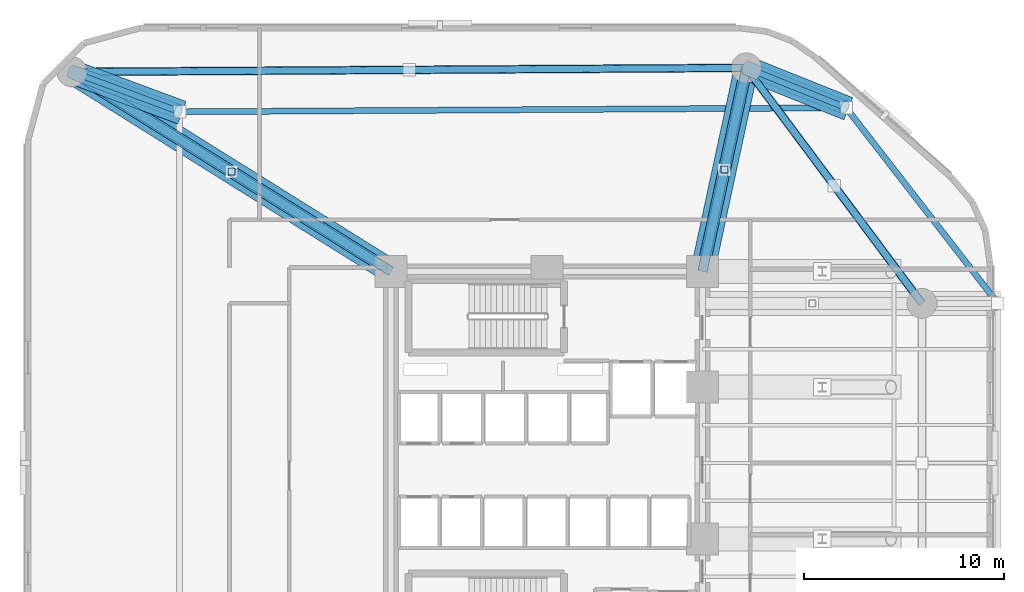
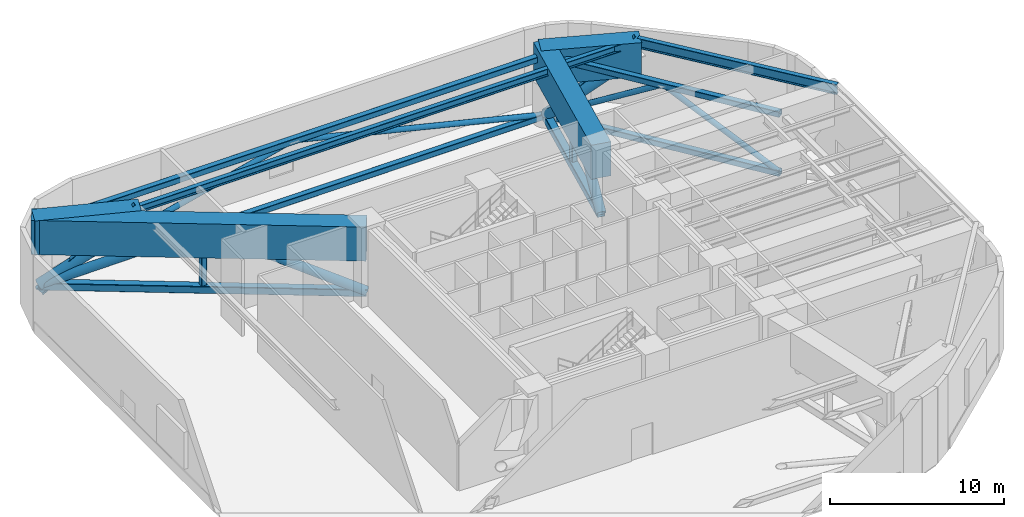
# One storey, part 5 of 11: 18 members, 8 beams.
"""IFC4 building model written with IfcOpenShell, lengths in metres."""

from ifc_helpers import new_model, si_unit, direction, frame, origin, origin_2d, place, context, subcontext, project, spatial, rectangle, hollow_rectangle, hollow_circle, i_section, extrude, material, material_profile, profile_set, type_object, element, save


model = new_model("IFC4")

# Units and contexts
model_context = context("Model", 3, precision=1e-05, world=origin(), true_north=direction((0.0, 1.0)))
body_context = subcontext(model_context, "Body", "Model", "MODEL_VIEW")
ifc_project = project(units=[si_unit("LENGTHUNIT", "METRE"), si_unit("AREAUNIT", "SQUARE_METRE"), si_unit("VOLUMEUNIT", "CUBIC_METRE"), si_unit("PLANEANGLEUNIT", "RADIAN"), si_unit("MASSUNIT", "GRAM", prefix="KILO")], contexts=[model_context])

# Site, building, storey
site_placement = place(None, origin())
site = spatial("IfcSite", under=ifc_project, at=site_placement, CompositionType="ELEMENT")
building_placement = place(site_placement, origin())
building = spatial("IfcBuilding", under=site, at=building_placement, Name="An Khanh Terracotta Commons", CompositionType="ELEMENT")
storey_placement = place(building_placement, frame((0.0, 0.0, 75.60009765625)))
storey = spatial("IfcBuildingStorey", under=building, at=storey_placement, Name="L20", CompositionType="ELEMENT", Elevation=75.60009765625)

# Members
ifc_material_1 = material(Name="Steel S460ML", Category="steel")
ifc_material_profile_1 = material_profile(ifc_material_1, hollow_rectangle(XDim=0.39990234375, YDim=0.39990234375, WallThickness=0.02001953125, InnerFilletRadius=0.02001953125, OuterFilletRadius=0.0400390625, at=origin_2d()), Name="SHS400x400x20")
ifc_profile_set_1 = profile_set([ifc_material_profile_1], Name="Steel S460ML")
member_type_1 = type_object("IfcMemberType", Name="BELT-CHORD-SHS400", PredefinedType="CHORD", material=ifc_profile_set_1)
for number, where, z_axis, x_axis, name in (
    (1, (48.199951171875, 32.0, 0.449951171875), (-0.59782442166, 0.801627070942, 0.0), (-0.801627070942, -0.59782442166, 0.0), "L20 Belt-Truss Bottom Chord 4"),
    (2, (48.199951171875, 32.0, 4.60986328125), (-0.59782442166, 0.801627070942, 0.0), (-0.801627070942, -0.59782442166, 0.0), "L20 Belt-Truss Top Chord 4"),
):
    element("IfcMember", number, at=place(storey_placement, frame(where, z_axis=z_axis, x_axis=x_axis)), inside=storey, type_object=member_type_1, Name=name, PredefinedType="CHORD", context=body_context, shape_type="SweptSolid", body=[
        extrude(hollow_rectangle(XDim=0.39990234375, YDim=0.39990234375, WallThickness=0.02001953125, InnerFilletRadius=0.02001953125, OuterFilletRadius=0.0400390625, at=origin_2d()), origin(), (0.0, 0.0, 1.0), 14.72021484375),
    ])
for number, where, z_axis, x_axis, name in (
    (3, (39.39990234375, 43.800048828125, 0.449951171875), (-0.999982502414, -0.005915645817, 0.0), (0.005915645817, -0.999982502414, 0.0), "L20 Belt-Truss Bottom Chord 5"),
    (4, (39.39990234375, 43.800048828125, 4.60986328125), (-0.999982502414, -0.005915645817, 0.0), (0.005915645817, -0.999982502414, 0.0), "L20 Belt-Truss Top Chord 5"),
):
    element("IfcMember", number, at=place(storey_placement, frame(where, z_axis=z_axis, x_axis=x_axis)), inside=storey, type_object=member_type_1, Name=name, PredefinedType="CHORD", context=body_context, shape_type="SweptSolid", body=[
        extrude(hollow_rectangle(XDim=0.39990234375, YDim=0.39990234375, WallThickness=0.02001953125, InnerFilletRadius=0.02001953125, OuterFilletRadius=0.0400390625, at=origin_2d()), origin(), (0.0, 0.0, 1.0), 33.80029296875),
    ])
ifc_material_profile_2 = material_profile(ifc_material_1, hollow_rectangle(XDim=0.5, YDim=0.5, WallThickness=0.02490234375, InnerFilletRadius=0.02490234375, OuterFilletRadius=0.050048828125, at=origin_2d()), Name="SHS500x500x25")
ifc_profile_set_2 = profile_set([ifc_material_profile_2], Name="Steel S460ML")
member_type_2 = type_object("IfcMemberType", Name="BELT-CHORD-SHS500", PredefinedType="CHORD", material=ifc_profile_set_2)
member_1_placement = place(storey_placement, frame((37.199951171875, 33.60009765625, 0.449951171875), z_axis=(0.210834365214, 0.977521800496, 0.0), x_axis=(-0.977521800496, 0.210834365214, 0.0)))
element("IfcMember", 5, at=member_1_placement, inside=storey, type_object=member_type_2, Name="L20 Outrigger Bottom Chord 5", PredefinedType="CHORD", context=body_context, shape_type="SweptSolid", body=[
    extrude(hollow_rectangle(XDim=0.5, YDim=0.5, WallThickness=0.02490234375, InnerFilletRadius=0.02490234375, OuterFilletRadius=0.050048828125, at=origin_2d()), origin(), (0.0, 0.0, 1.0), 10.4345703125),
])
member_2_placement = place(storey_placement, frame((21.60009765625, 33.60009765625, 0.449951171875), z_axis=(-0.847998304005, 0.529998940003, 0.0), x_axis=(-0.529998940003, -0.847998304005, 0.0)))
element("IfcMember", 6, at=member_2_placement, inside=storey, type_object=member_type_2, Name="L20 Outrigger Bottom Chord 6", PredefinedType="CHORD", context=body_context, shape_type="SweptSolid", body=[
    extrude(hollow_rectangle(XDim=0.5, YDim=0.5, WallThickness=0.02490234375, InnerFilletRadius=0.02490234375, OuterFilletRadius=0.050048828125, at=origin_2d()), origin(), (0.0, 0.0, 1.0), 18.867919921875),
])
ifc_material_profile_3 = material_profile(ifc_material_1, hollow_circle(Radius=0.177734375, WallThickness=0.01611328125, at=origin_2d()), Name="CHS355.6x16")
ifc_profile_set_3 = profile_set([ifc_material_profile_3], Name="Steel S460ML")
member_type_3 = type_object("IfcMemberType", Name="BELT-DIAG-CHS355", PredefinedType="BRACE", material=ifc_profile_set_3)
member_3_placement = place(storey_placement, frame((48.199951171875, 32.0, 0.449951171875), z_axis=(-0.52044215431, 0.697869553937, 0.492054925496), x_axis=(-0.801629091732, -0.597821711959, 0.0)))
element("IfcMember", 7, at=member_3_placement, inside=storey, type_object=member_type_3, Name="L20 Belt-Truss Web Diagonal 4A", PredefinedType="BRACE", context=body_context, shape_type="SweptSolid", body=[
    extrude(hollow_circle(Radius=0.177734375, WallThickness=0.01611328125, at=origin_2d()), origin(), (0.0, 0.0, 1.0), 8.4541015625),
])
member_4_placement = place(storey_placement, frame((39.39990234375, 43.800048828125, 0.449951171875), z_axis=(0.520452721477, -0.697873878929, 0.492037614229), x_axis=(0.801625050236, 0.597827131229, 0.0)))
element("IfcMember", 8, at=member_4_placement, inside=storey, type_object=member_type_3, Name="L20 Belt-Truss Web Diagonal 4B", PredefinedType="BRACE", context=body_context, shape_type="SweptSolid", body=[
    extrude(hollow_circle(Radius=0.177734375, WallThickness=0.01611328125, at=origin_2d()), origin(), (0.0, 0.0, 1.0), 8.454345703125),
])
for number, where, z_axis, x_axis, name in (
    (9, (39.39990234375, 43.800048828125, 0.449951171875), (-0.97099967145, -0.005751204318, 0.239011635056), (0.005922868574, -0.99998245966, 0.0), "L20 Belt-Truss Web Diagonal 5A"),
    (10, (5.60009765625, 43.60009765625, 0.449951171875), (0.970999749689, 0.005737177453, 0.239011654314), (-0.005908423058, 0.999982545116, 0.0), "L20 Belt-Truss Web Diagonal 5B"),
):
    element("IfcMember", number, at=place(storey_placement, frame(where, z_axis=z_axis, x_axis=x_axis)), inside=storey, type_object=member_type_3, Name=name, PredefinedType="BRACE", context=body_context, shape_type="SweptSolid", body=[
        extrude(hollow_circle(Radius=0.177734375, WallThickness=0.01611328125, at=origin_2d()), origin(), (0.0, 0.0, 1.0), 17.404541015625),
    ])
ifc_material_profile_4 = material_profile(ifc_material_1, hollow_rectangle(XDim=0.35009765625, YDim=0.35009765625, WallThickness=0.01611328125, InnerFilletRadius=0.01611328125, OuterFilletRadius=0.031982421875, at=origin_2d()), Name="SHS350x350x16")
ifc_profile_set_4 = profile_set([ifc_material_profile_4], Name="Steel S460ML")
member_type_4 = type_object("IfcMemberType", Name="BELT-STRUT-SHS350", PredefinedType="STRUT", material=ifc_profile_set_4)
for number, where, z_axis, x_axis, name in (
    (11, (38.300048828125, 38.699951171875, 0.449951171875), (0.0, 0.0, 1.0), (1.0, 0.0, 0.0), "L20 Outrigger Vertical Post 5"),
    (12, (13.60009765625, 38.60009765625, 0.449951171875), (0.0, 0.0, 1.0), (1.0, 0.0, 0.0), "L20 Outrigger Vertical Post 6"),
):
    element("IfcMember", number, at=place(storey_placement, frame(where, z_axis=z_axis, x_axis=x_axis)), inside=storey, type_object=member_type_4, Name=name, PredefinedType="STRUT", context=body_context, shape_type="SweptSolid", body=[
        extrude(hollow_rectangle(XDim=0.35009765625, YDim=0.35009765625, WallThickness=0.01611328125, InnerFilletRadius=0.01611328125, OuterFilletRadius=0.031982421875, at=origin_2d()), origin(), (0.0, 0.0, 1.0), 4.159912109375),
    ])

# Beams
ifc_material_2 = material(Name="Steel S355J2", Category="steel")
ifc_material_profile_5 = material_profile(ifc_material_2, i_section(OverallWidth=0.300048828125, OverallDepth=0.5, WebThickness=0.014404296875, FlangeThickness=0.028076171875, FilletRadius=0.027099609375, at=origin_2d()), Name="HEB500")
ifc_profile_set_5 = profile_set([ifc_material_profile_5], Name="Steel S355J2")
beam_type_1 = type_object("IfcBeamType", Name="BM-HEB500", PredefinedType="BEAM", material=ifc_profile_set_5)
beam_1_placement = place(storey_placement, frame((44.39990234375, 41.800048828125, 5.10986328125), z_axis=(-0.999982080914, -0.005986472262, 0.0), x_axis=(0.005986472262, -0.999982080914, 0.0)))
element("IfcBeam", 13, at=beam_1_placement, inside=storey, type_object=beam_type_1, Name="L20 Perimeter Ring Spandrel 5", PredefinedType="BEAM", context=body_context, shape_type="SweptSolid", body=[
    extrude(i_section(OverallWidth=0.300048828125, OverallDepth=0.5, WebThickness=0.014404296875, FlangeThickness=0.028076171875, FilletRadius=0.027099609375, at=origin_2d()), origin(), (0.0, 0.0, 1.0), 33.400390625),
])
ifc_material_profile_6 = material_profile(ifc_material_2, i_section(OverallWidth=0.300048828125, OverallDepth=0.60009765625, WebThickness=0.015380859375, FlangeThickness=0.030029296875, FilletRadius=0.027099609375, at=origin_2d()), Name="HEB600")
ifc_profile_set_6 = profile_set([ifc_material_profile_6], Name="Steel S355J2")
beam_type_2 = type_object("IfcBeamType", Name="BM-HEB600", PredefinedType="BEAM", material=ifc_profile_set_6)
beam_2_placement = place(storey_placement, frame((39.39990234375, 43.800048828125, 0.0), z_axis=(0.664822495315, -0.265928998126, 0.69806362008), x_axis=(0.371390676354, 0.928476690885, 0.0)))
element("IfcBeam", 14, at=beam_2_placement, inside=storey, type_object=beam_type_2, Name="L20 Outrigger Lower Column Tie Beam 5", PredefinedType="BEAM", context=body_context, shape_type="SweptSolid", body=[
    extrude(i_section(OverallWidth=0.300048828125, OverallDepth=0.60009765625, WebThickness=0.015380859375, FlangeThickness=0.030029296875, FilletRadius=0.027099609375, at=origin_2d()), origin(), (0.0, 0.0, 1.0), 7.520751953125),
])
beam_3_placement = place(storey_placement, frame((5.60009765625, 43.60009765625, 0.0), z_axis=(0.692970673397, -0.256660446535, 0.673733672155), x_axis=(0.347319879248, 0.937746714992, 0.0)))
element("IfcBeam", 15, at=beam_3_placement, inside=storey, type_object=beam_type_2, Name="L20 Outrigger Lower Column Tie Beam 6", PredefinedType="BEAM", context=body_context, shape_type="SweptSolid", body=[
    extrude(i_section(OverallWidth=0.300048828125, OverallDepth=0.60009765625, WebThickness=0.015380859375, FlangeThickness=0.030029296875, FilletRadius=0.027099609375, at=origin_2d()), origin(), (0.0, 0.0, 1.0), 7.79248046875),
])
ifc_material_profile_7 = material_profile(ifc_material_2, i_section(OverallWidth=0.300048828125, OverallDepth=0.699951171875, WebThickness=0.01708984375, FlangeThickness=0.031982421875, FilletRadius=0.027099609375, at=origin_2d()), Name="HEB700")
ifc_profile_set_7 = profile_set([ifc_material_profile_7], Name="Steel S355J2")
beam_type_3 = type_object("IfcBeamType", Name="BM-HEB700", PredefinedType="BEAM", material=ifc_profile_set_7)
beam_4_placement = place(storey_placement, frame((52.0, 32.0, 5.010009765625), z_axis=(-0.612826529795, 0.790217466511, 0.0), x_axis=(-0.790217466511, -0.612826529795, 0.0)))
element("IfcBeam", 16, at=beam_4_placement, inside=storey, type_object=beam_type_3, Name="L20 Perimeter Ring Spandrel 4", PredefinedType="BEAM", context=body_context, shape_type="SweptSolid", body=[
    extrude(i_section(OverallWidth=0.300048828125, OverallDepth=0.699951171875, WebThickness=0.01708984375, FlangeThickness=0.031982421875, FilletRadius=0.027099609375, at=origin_2d()), origin(), (0.0, 0.0, 1.0), 12.401611328125),
])
ifc_material_3 = material(Name="Concrete C60/75", Category="concrete")
ifc_material_profile_8 = material_profile(ifc_material_3, rectangle(XDim=1.199951171875, YDim=2.39990234375, at=origin_2d()), Name="RCB1200x2400")
ifc_profile_set_8 = profile_set([ifc_material_profile_8], Name="Concrete C60/75")
beam_type_4 = type_object("IfcBeamType", Name="BM-RCB1200x2400", PredefinedType="BEAM", material=ifc_profile_set_8)
beam_5_placement = place(storey_placement, frame((37.199951171875, 33.60009765625, 4.159912109375), z_axis=(0.210863087232, 0.977515605217, 0.0), x_axis=(-0.977515605217, 0.210863087232, 0.0)))
element("IfcBeam", 17, at=beam_5_placement, inside=storey, type_object=beam_type_4, Name="L20 Outrigger Core-to-Mega Transfer Girder 5", PredefinedType="BEAM", context=body_context, shape_type="SweptSolid", body=[
    extrude(rectangle(XDim=1.199951171875, YDim=2.39990234375, at=origin_2d()), origin(), (0.0, 0.0, 1.0), 10.884521484375),
])
beam_6_placement = place(storey_placement, frame((39.074951171875, 43.929931640625, 4.159912109375), z_axis=(0.928439302104, -0.371484134665, 0.0), x_axis=(0.371484134665, 0.928439302104, 0.0)))
element("IfcBeam", 18, at=beam_6_placement, inside=storey, type_object=beam_type_4, Name="L20 Mega-Column Step-Out Transfer Girder 5", PredefinedType="BEAM", context=body_context, shape_type="SweptSolid", body=[
    extrude(rectangle(XDim=1.199951171875, YDim=2.39990234375, at=origin_2d()), origin(), (0.0, 0.0, 1.0), 5.85498046875),
])
beam_7_placement = place(storey_placement, frame((21.60009765625, 33.60009765625, 4.159912109375), z_axis=(-0.848021733157, 0.529961451516, 0.0), x_axis=(-0.529961451516, -0.848021733157, 0.0)))
element("IfcBeam", 19, at=beam_7_placement, inside=storey, type_object=beam_type_4, Name="L20 Outrigger Core-to-Mega Transfer Girder 6", PredefinedType="BEAM", context=body_context, shape_type="SweptSolid", body=[
    extrude(rectangle(XDim=1.199951171875, YDim=2.39990234375, at=origin_2d()), origin(), (0.0, 0.0, 1.0), 19.318115234375),
])
beam_8_placement = place(storey_placement, frame((5.27197265625, 43.721923828125, 4.159912109375), z_axis=(0.937724646142, -0.347379458255, 0.0), x_axis=(0.347379458255, 0.937724646142, 0.0)))
element("IfcBeam", 20, at=beam_8_placement, inside=storey, type_object=beam_type_4, Name="L20 Mega-Column Step-Out Transfer Girder 6", PredefinedType="BEAM", context=body_context, shape_type="SweptSolid", body=[
    extrude(rectangle(XDim=1.199951171875, YDim=2.39990234375, at=origin_2d()), origin(), (0.0, 0.0, 1.0), 6.22900390625),
])

# Members
ifc_material_profile_9 = material_profile(ifc_material_1, hollow_circle(Radius=0.304931640625, WallThickness=0.030029296875, at=origin_2d()), Name="CHS610x30")
ifc_profile_set_9 = profile_set([ifc_material_profile_9], Name="Steel S460ML")
member_type_5 = type_object("IfcMemberType", Name="OUTRIGGER-DIAG-CHS610", PredefinedType="BRACE", material=ifc_profile_set_9)
member_5_placement = place(storey_placement, frame((37.199951171875, 33.60009765625, 0.449951171875), z_axis=(0.16486791834, 0.764297813184, 0.623431970839), x_axis=(-0.97751593787, 0.210861545121, 0.0)))
element("IfcMember", 21, at=member_5_placement, inside=storey, type_object=member_type_5, Name="L20 Outrigger Tie Diagonal 5A", PredefinedType="BRACE", context=body_context, shape_type="SweptSolid", body=[
    extrude(hollow_circle(Radius=0.304931640625, WallThickness=0.030029296875, at=origin_2d()), origin(), (0.0, 0.0, 1.0), 6.672607421875),
])
member_6_placement = place(storey_placement, frame((38.300048828125, 38.699951171875, 4.60986328125), z_axis=(0.164827714585, 0.764317637663, -0.623418297182), x_axis=(-0.977527662156, 0.210807186118, 0.0)))
element("IfcMember", 22, at=member_6_placement, inside=storey, type_object=member_type_5, Name="L20 Outrigger Tie Diagonal 5B", PredefinedType="BRACE", context=body_context, shape_type="SweptSolid", body=[
    extrude(hollow_circle(Radius=0.304931640625, WallThickness=0.030029296875, at=origin_2d()), origin(), (0.0, 0.0, 1.0), 6.6728515625),
])
for number, where, z_axis, x_axis, name in (
    (23, (21.60009765625, 33.60009765625, 0.449951171875), (-0.77591368047, 0.484946050294, 0.403466589402), (-0.529998940003, -0.847998304005, 0.0), "L20 Outrigger Tie Diagonal 6A"),
    (24, (13.60009765625, 38.60009765625, 4.60986328125), (-0.77591368047, 0.484946050294, -0.403466589402), (-0.529998940003, -0.847998304005, 0.0), "L20 Outrigger Tie Diagonal 6B"),
):
    element("IfcMember", number, at=place(storey_placement, frame(where, z_axis=z_axis, x_axis=x_axis)), inside=storey, type_object=member_type_5, Name=name, PredefinedType="BRACE", context=body_context, shape_type="SweptSolid", body=[
        extrude(hollow_circle(Radius=0.304931640625, WallThickness=0.030029296875, at=origin_2d()), origin(), (0.0, 0.0, 1.0), 10.310546875),
    ])
ifc_material_profile_10 = material_profile(ifc_material_1, hollow_circle(Radius=0.35546875, WallThickness=0.031982421875, at=origin_2d()), Name="CHS711x32")
ifc_profile_set_10 = profile_set([ifc_material_profile_10], Name="Steel S460ML")
member_type_6 = type_object("IfcMemberType", Name="OUTRIGGER-RAKE-CHS711", PredefinedType="STRUT", material=ifc_profile_set_10)
member_7_placement = place(storey_placement, frame((39.39990234375, 43.800048828125, 0.449951171875), z_axis=(0.760915013284, -0.304298123715, 0.57307154393), x_axis=(0.371319268009, 0.928505251038, 0.0)))
element("IfcMember", 25, at=member_7_placement, inside=storey, type_object=member_type_6, Name="L20 Zone-Step Raking Outrigger Strut 5", PredefinedType="STRUT", context=body_context, shape_type="SweptSolid", body=[
    extrude(hollow_circle(Radius=0.35546875, WallThickness=0.031982421875, at=origin_2d()), origin(), (0.0, 0.0, 1.0), 6.473876953125),
])
member_8_placement = place(storey_placement, frame((5.60009765625, 43.60009765625, 0.449951171875), z_axis=(0.785049869339, -0.290753878525, 0.546954188917), x_axis=(0.347308754617, 0.937750835226, 0.0)))
element("IfcMember", 26, at=member_8_placement, inside=storey, type_object=member_type_6, Name="L20 Zone-Step Raking Outrigger Strut 6", PredefinedType="STRUT", context=body_context, shape_type="SweptSolid", body=[
    extrude(hollow_circle(Radius=0.35546875, WallThickness=0.031982421875, at=origin_2d()), origin(), (0.0, 0.0, 1.0), 6.782958984375),
])

save(model, "model.ifc")
